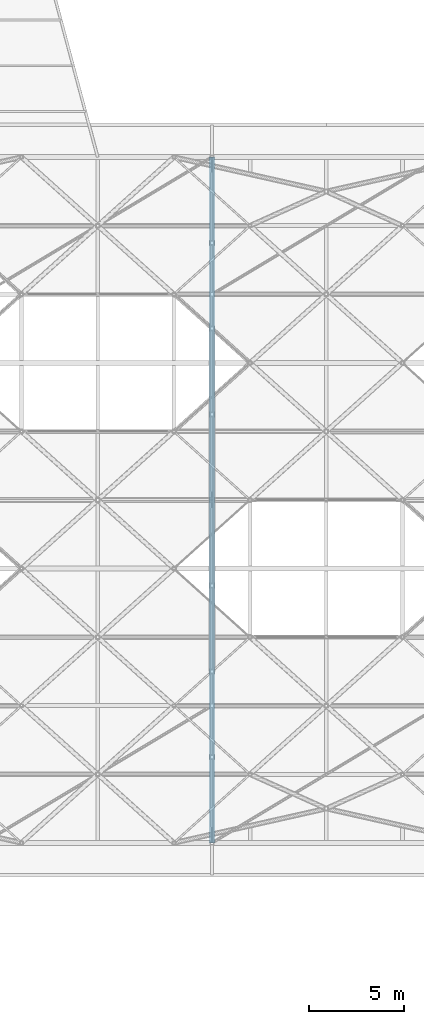
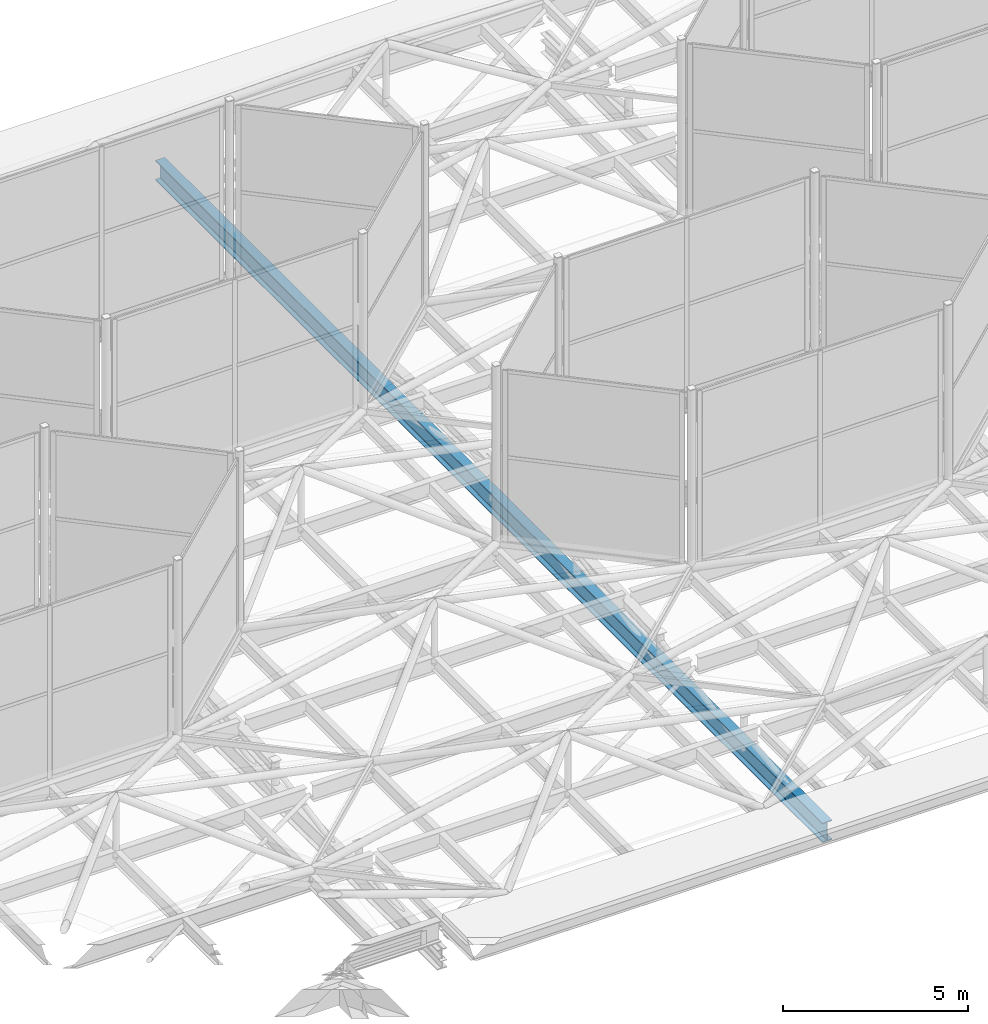
# One storey, part 91 of 239: 1 beam.
"""IFC4 building model written with IfcOpenShell, lengths in metres."""

from ifc_helpers import new_model, si_unit, direction, frame, origin, origin_2d, place, context, subcontext, project, spatial, i_section, extrude, material, material_profile, profile_set, type_object, element, save


model = new_model("IFC4")

# Units and contexts
model_context = context("Model", 3, precision=1e-05, world=origin(), true_north=direction((0.0, 1.0)))
body_context = subcontext(model_context, "Body", "Model", "MODEL_VIEW")
ifc_project = project(units=[si_unit("LENGTHUNIT", "METRE"), si_unit("AREAUNIT", "SQUARE_METRE"), si_unit("VOLUMEUNIT", "CUBIC_METRE"), si_unit("PLANEANGLEUNIT", "RADIAN"), si_unit("MASSUNIT", "GRAM", prefix="KILO")], contexts=[model_context])

# Site, building, storey
site_placement = place(None, origin())
site = spatial("IfcSite", under=ifc_project, at=site_placement, CompositionType="ELEMENT")
building_placement = place(site_placement, origin())
building = spatial("IfcBuilding", under=site, at=building_placement, Name="Dunvalen Ferry Terminal", CompositionType="ELEMENT")
storey_placement = place(building_placement, frame((0.0, 0.0, 9.840087890625)))
storey = spatial("IfcBuildingStorey", under=building, at=storey_placement, Name="L02", CompositionType="ELEMENT", Elevation=9.840087890625)

# Beam
ifc_material = material(Name="Steel S355", Category="steel")
ifc_material_profile = material_profile(ifc_material, i_section(OverallWidth=0.300048828125, OverallDepth=0.64990234375, WebThickness=0.01611328125, FlangeThickness=0.031005859375, FilletRadius=0.027099609375, at=origin_2d()), Name="Steel S355")
ifc_profile_set = profile_set([ifc_material_profile], Name="Steel S355")
beam_type = type_object("IfcBeamType", Name="STR-BM-HEB650", PredefinedType="BEAM", material=ifc_profile_set)
beam_placement = place(storey_placement, frame((48.0, 50.39990234375, -0.360107421875), z_axis=(0.0, 1.0, 0.0), x_axis=(-1.0, 0.0, 0.0)))
element("IfcBeam", 1, at=beam_placement, inside=storey, type_object=beam_type, Name="Departure Hall Tied-Arch Tie Girder 04", PredefinedType="BEAM", context=body_context, shape_type="SweptSolid", body=[
    extrude(i_section(OverallWidth=0.300048828125, OverallDepth=0.64990234375, WebThickness=0.01611328125, FlangeThickness=0.031005859375, FilletRadius=0.027099609375, at=origin_2d()), origin(), (0.0, 0.0, 1.0), 36.0),
])

save(model, "model.ifc")
